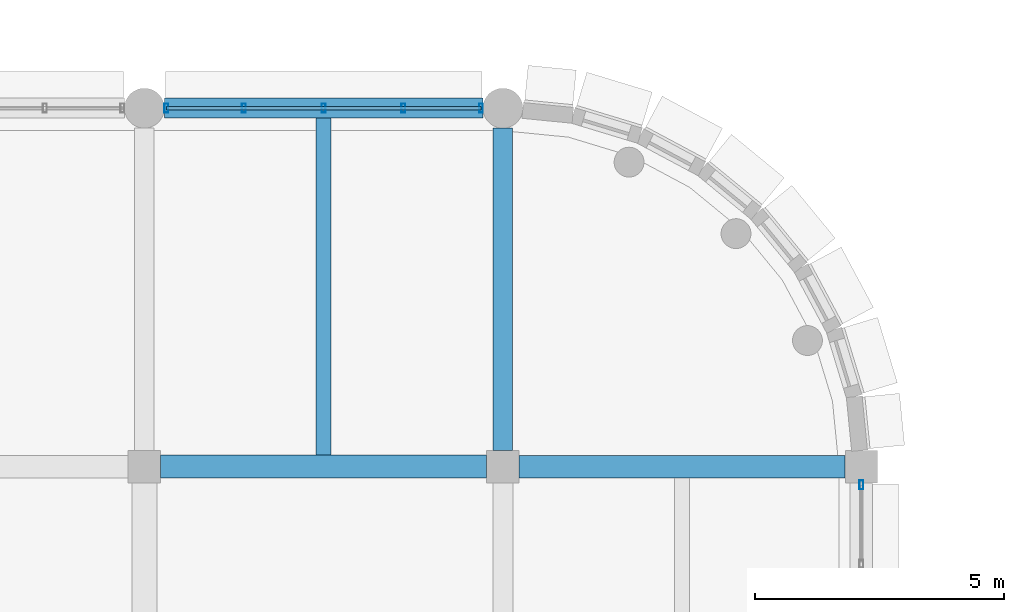
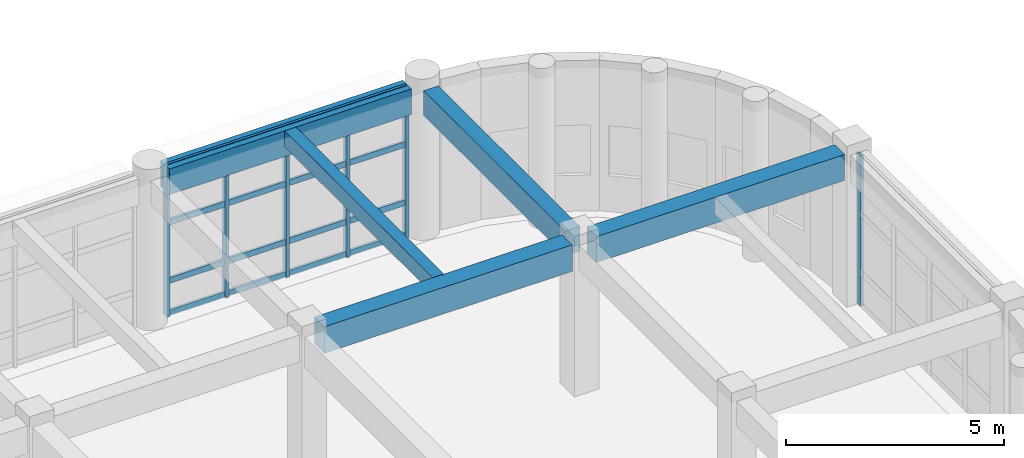
# One storey, part 73 of 171: 10 members, 5 beams, 2 elements without a shape of their own.
"""IFC4 building model written with IfcOpenShell, lengths in metres."""

from ifc_helpers import new_model, si_unit, direction, frame, origin, origin_2d, place, context, subcontext, project, spatial, rectangle, hollow_rectangle, extrude, material, material_profile, profile_set, type_object, element, aggregate, save


model = new_model("IFC4")

# Units and contexts
model_context = context("Model", 3, precision=1e-05, world=origin(), true_north=direction((0.0, 1.0)))
body_context = subcontext(model_context, "Body", "Model", "MODEL_VIEW")
ifc_project = project(units=[si_unit("LENGTHUNIT", "METRE"), si_unit("AREAUNIT", "SQUARE_METRE"), si_unit("VOLUMEUNIT", "CUBIC_METRE"), si_unit("PLANEANGLEUNIT", "RADIAN"), si_unit("MASSUNIT", "GRAM", prefix="KILO")], contexts=[model_context])

# Site, building, storey
site_placement = place(None, origin())
site = spatial("IfcSite", under=ifc_project, at=site_placement, CompositionType="ELEMENT")
building_placement = place(site_placement, origin())
building = spatial("IfcBuilding", under=site, at=building_placement, Name="Thalmaran Polytechnic", CompositionType="ELEMENT")
storey_placement = place(building_placement, frame((0.0, 0.0, 5.39990234375)))
storey = spatial("IfcBuildingStorey", under=building, at=storey_placement, Name="L01", CompositionType="ELEMENT", Elevation=5.39990234375)

# Beams
ifc_material_1 = material(Name="Concrete C40/50", Category="concrete")
ifc_material_profile_1 = material_profile(ifc_material_1, rectangle(XDim=0.449951171875, YDim=0.72509765625, at=origin_2d()), Name="RC 450x725")
ifc_profile_set_1 = profile_set([ifc_material_profile_1], Name="Concrete C40/50")
beam_type_1 = type_object("IfcBeamType", Name="BM-RC04", PredefinedType="BEAM", material=ifc_profile_set_1)
beam_1_placement = place(storey_placement, frame((86.72509765625, 64.800048828125, 3.8525390625), z_axis=(1.0, 0.0, 0.0), x_axis=(0.0, 1.0, 0.0)))
element("IfcBeam", 1, at=beam_1_placement, inside=storey, type_object=beam_type_1, Name="Grid Beam B04 L01 X(12,9)", PredefinedType="BEAM", context=body_context, shape_type="SweptSolid", body=[
    extrude(rectangle(XDim=0.449951171875, YDim=0.72509765625, at=origin_2d()), origin(), (0.0, 0.0, 1.0), 6.5498046875),
])
ifc_material_profile_2 = material_profile(ifc_material_1, rectangle(XDim=0.389892578125, YDim=0.68994140625, at=origin_2d()), Name="RC 390x690")
ifc_profile_set_2 = profile_set([ifc_material_profile_2], Name="Concrete C40/50")
beam_type_2 = type_object("IfcBeamType", Name="BM-RC09", PredefinedType="BEAM", material=ifc_profile_set_2)
beam_2_placement = place(storey_placement, frame((86.39990234375, 65.125, 3.8701171875), z_axis=(0.0, 1.0, 0.0), x_axis=(-1.0, 0.0, 0.0)))
element("IfcBeam", 2, at=beam_2_placement, inside=storey, type_object=beam_type_2, Name="Grid Beam B09 L01 Y(12,9)", PredefinedType="BEAM", context=body_context, shape_type="SweptSolid", body=[
    extrude(rectangle(XDim=0.389892578125, YDim=0.68994140625, at=origin_2d()), origin(), (0.0, 0.0, 1.0), 6.47509765625),
])
ifc_material_profile_3 = material_profile(ifc_material_1, rectangle(XDim=0.300048828125, YDim=0.449951171875, at=origin_2d()), Name="RC 300x450")
ifc_profile_set_3 = profile_set([ifc_material_profile_3], Name="Concrete C40/50")
beam_type_3 = type_object("IfcBeamType", Name="BM-RC12", PredefinedType="JOIST", material=ifc_profile_set_3)
beam_3_placement = place(storey_placement, frame((82.800048828125, 65.030029296875, 3.989990234375), z_axis=(0.0, 1.0, 0.0), x_axis=(-1.0, 0.0, 0.0)))
element("IfcBeam", 3, at=beam_3_placement, inside=storey, type_object=beam_type_3, Name="Secondary Floor Rib RB02 L01 (11,9)", PredefinedType="JOIST", context=body_context, shape_type="SweptSolid", body=[
    extrude(rectangle(XDim=0.300048828125, YDim=0.449951171875, at=origin_2d()), origin(), (0.0, 0.0, 1.0), 6.77001953125),
])
ifc_material_profile_4 = material_profile(ifc_material_1, rectangle(XDim=0.39990234375, YDim=0.719970703125, at=origin_2d()), Name="RC 400x720")
ifc_profile_set_4 = profile_set([ifc_material_profile_4], Name="Concrete C40/50")
beam_type_4 = type_object("IfcBeamType", Name="BM-SP01", PredefinedType="SPANDREL", material=ifc_profile_set_4)
beam_4_placement = place(storey_placement, frame((79.60009765625, 72.0, 3.85498046875), z_axis=(1.0, 0.0, 0.0), x_axis=(0.0, 1.0, 0.0)))
element("IfcBeam", 4, at=beam_4_placement, inside=storey, type_object=beam_type_4, Name="Grid Beam SP01 L01 X(11,10)", PredefinedType="SPANDREL", context=body_context, shape_type="SweptSolid", body=[
    extrude(rectangle(XDim=0.39990234375, YDim=0.719970703125, at=origin_2d()), origin(), (0.0, 0.0, 1.0), 6.39990234375),
])
ifc_material_profile_5 = material_profile(ifc_material_1, rectangle(XDim=0.4599609375, YDim=0.739990234375, at=origin_2d()), Name="RC 460x740")
ifc_profile_set_5 = profile_set([ifc_material_profile_5], Name="Concrete C40/50")
beam_type_5 = type_object("IfcBeamType", Name="BM-ZB02", PredefinedType="BEAM", material=ifc_profile_set_5)
beam_5_placement = place(storey_placement, frame((79.52490234375, 64.800048828125, 3.84521484375), z_axis=(1.0, 0.0, 0.0), x_axis=(0.0, 1.0, 0.0)))
element("IfcBeam", 5, at=beam_5_placement, inside=storey, type_object=beam_type_5, Name="Grid Beam ZB02 L01 X(11,9)", PredefinedType="BEAM", context=body_context, shape_type="SweptSolid", body=[
    extrude(rectangle(XDim=0.4599609375, YDim=0.739990234375, at=origin_2d()), origin(), (0.0, 0.0, 1.0), 6.550048828125),
])

# Curtain wall, members
ifc_material_2 = material(Name="Aluminium 6063-T6", Category="aluminium")
curtain_wall_type = type_object("IfcCurtainWallType", Name="CW-SC01", PredefinedType="USERDEFINED", material=ifc_material_2)
curtain_wall_1_placement = place(storey_placement, origin())
curtain_wall_1 = element("IfcCurtainWall", 6, at=curtain_wall_1_placement, inside=storey, type_object=curtain_wall_type, Name="Curtain Wall CW-L01-147", ObjectType="STICK CURTAIN WALL", PredefinedType="USERDEFINED")
ifc_material_profile_6 = material_profile(ifc_material_2, hollow_rectangle(XDim=0.080078125, YDim=0.179931640625, WallThickness=0.0048828125, at=origin_2d()), Name="RHS 180x80x5.0")
ifc_profile_set_6 = profile_set([ifc_material_profile_6], Name="Aluminium 6063-T6")
member_type_1 = type_object("IfcMemberType", Name="CW-MUL1", PredefinedType="MULLION", material=ifc_profile_set_6)
member_1_placement = place(storey_placement, frame((79.639892578125, 72.0, 0.0), z_axis=(0.0, 0.0, 1.0), x_axis=(1.0, 0.0, 0.0)))
member_1 = element("IfcMember", 7, at=member_1_placement, type_object=member_type_1, Name="CW-L01-147 Mullion 1", PredefinedType="MULLION", context=body_context, shape_type="SweptSolid", body=[
    extrude(hollow_rectangle(XDim=0.080078125, YDim=0.179931640625, WallThickness=0.0048828125, at=origin_2d()), origin(), (0.0, 0.0, 1.0), 4.210205078125),
])
member_2_placement = place(storey_placement, frame((81.199951171875, 72.0, 0.0), z_axis=(0.0, 0.0, 1.0), x_axis=(1.0, 0.0, 0.0)))
member_2 = element("IfcMember", 8, at=member_2_placement, type_object=member_type_1, Name="CW-L01-147 Mullion 2", PredefinedType="MULLION", context=body_context, shape_type="SweptSolid", body=[
    extrude(hollow_rectangle(XDim=0.080078125, YDim=0.179931640625, WallThickness=0.0048828125, at=origin_2d()), origin(), (0.0, 0.0, 1.0), 4.210205078125),
])
member_3_placement = place(storey_placement, frame((82.800048828125, 72.0, 0.0), z_axis=(0.0, 0.0, 1.0), x_axis=(1.0, 0.0, 0.0)))
member_3 = element("IfcMember", 9, at=member_3_placement, type_object=member_type_1, Name="CW-L01-147 Mullion 3", PredefinedType="MULLION", context=body_context, shape_type="SweptSolid", body=[
    extrude(hollow_rectangle(XDim=0.080078125, YDim=0.179931640625, WallThickness=0.0048828125, at=origin_2d()), origin(), (0.0, 0.0, 1.0), 4.210205078125),
])
member_4_placement = place(storey_placement, frame((84.39990234375, 72.0, 0.0), z_axis=(0.0, 0.0, 1.0), x_axis=(1.0, 0.0, 0.0)))
member_4 = element("IfcMember", 10, at=member_4_placement, type_object=member_type_1, Name="CW-L01-147 Mullion 4", PredefinedType="MULLION", context=body_context, shape_type="SweptSolid", body=[
    extrude(hollow_rectangle(XDim=0.080078125, YDim=0.179931640625, WallThickness=0.0048828125, at=origin_2d()), origin(), (0.0, 0.0, 1.0), 4.210205078125),
])
member_5_placement = place(storey_placement, frame((85.9599609375, 72.0, 0.0), z_axis=(0.0, 0.0, 1.0), x_axis=(1.0, 0.0, 0.0)))
member_5 = element("IfcMember", 11, at=member_5_placement, type_object=member_type_1, Name="CW-L01-147 Mullion 5", PredefinedType="MULLION", context=body_context, shape_type="SweptSolid", body=[
    extrude(hollow_rectangle(XDim=0.080078125, YDim=0.179931640625, WallThickness=0.0048828125, at=origin_2d()), origin(), (0.0, 0.0, 1.0), 4.210205078125),
])

# Curtain wall, member
curtain_wall_2_placement = place(storey_placement, origin())
curtain_wall_2 = element("IfcCurtainWall", 12, at=curtain_wall_2_placement, inside=storey, type_object=curtain_wall_type, Name="Curtain Wall CW-L01-148", ObjectType="STICK CURTAIN WALL", PredefinedType="USERDEFINED")
member_6_placement = place(storey_placement, frame((93.60009765625, 64.43505859375, 0.0), z_axis=(0.0, 0.0, 1.0), x_axis=(1.0, 0.0, 0.0)))
member_6 = element("IfcMember", 13, at=member_6_placement, type_object=member_type_1, Name="CW-L01-148 Mullion 1", PredefinedType="MULLION", context=body_context, shape_type="SweptSolid", body=[
    extrude(hollow_rectangle(XDim=0.080078125, YDim=0.179931640625, WallThickness=0.0048828125, at=origin_2d()), origin(), (0.0, 0.0, 1.0), 4.210205078125),
])
aggregate(curtain_wall_2, [member_6])

# Member
ifc_material_profile_7 = material_profile(ifc_material_2, hollow_rectangle(XDim=0.070068359375, YDim=0.159912109375, WallThickness=0.00390625, at=origin_2d()), Name="AL 160x70x4.0")
ifc_profile_set_7 = profile_set([ifc_material_profile_7], Name="Aluminium 6063-T6")
member_type_2 = type_object("IfcMemberType", Name="CW-TRN1", PredefinedType="USERDEFINED", material=ifc_profile_set_7)
member_7_placement = place(storey_placement, frame((79.639892578125, 72.0, 0.06005859375), z_axis=(1.0, 0.0, 0.0), x_axis=(0.0, 1.0, 0.0)))
member_7 = element("IfcMember", 14, at=member_7_placement, type_object=member_type_2, Name="CW-L01-147 Transom 1", ObjectType="TRANSOM", PredefinedType="USERDEFINED", context=body_context, shape_type="SweptSolid", body=[
    extrude(hollow_rectangle(XDim=0.070068359375, YDim=0.159912109375, WallThickness=0.00390625, at=origin_2d()), origin(), (0.0, 0.0, 1.0), 6.320068359375),
])

member_8_placement = place(storey_placement, frame((79.639892578125, 72.0, 0.960205078125), z_axis=(1.0, 0.0, 0.0), x_axis=(0.0, 1.0, 0.0)))
member_8 = element("IfcMember", 15, at=member_8_placement, type_object=member_type_2, Name="CW-L01-147 Transom 2", ObjectType="TRANSOM", PredefinedType="USERDEFINED", context=body_context, shape_type="SweptSolid", body=[
    extrude(hollow_rectangle(XDim=0.070068359375, YDim=0.159912109375, WallThickness=0.00390625, at=origin_2d()), origin(), (0.0, 0.0, 1.0), 6.320068359375),
])

member_9_placement = place(storey_placement, frame((79.639892578125, 72.0, 2.585205078125), z_axis=(1.0, 0.0, 0.0), x_axis=(0.0, 1.0, 0.0)))
member_9 = element("IfcMember", 16, at=member_9_placement, type_object=member_type_2, Name="CW-L01-147 Transom 3", ObjectType="TRANSOM", PredefinedType="USERDEFINED", context=body_context, shape_type="SweptSolid", body=[
    extrude(hollow_rectangle(XDim=0.070068359375, YDim=0.159912109375, WallThickness=0.00390625, at=origin_2d()), origin(), (0.0, 0.0, 1.0), 6.320068359375),
])

member_10_placement = place(storey_placement, frame((79.639892578125, 72.0, 4.150146484375), z_axis=(1.0, 0.0, 0.0), x_axis=(0.0, 1.0, 0.0)))
member_10 = element("IfcMember", 17, at=member_10_placement, type_object=member_type_2, Name="CW-L01-147 Transom 4", ObjectType="TRANSOM", PredefinedType="USERDEFINED", context=body_context, shape_type="SweptSolid", body=[
    extrude(hollow_rectangle(XDim=0.070068359375, YDim=0.159912109375, WallThickness=0.00390625, at=origin_2d()), origin(), (0.0, 0.0, 1.0), 6.320068359375),
])

aggregate(curtain_wall_1, [member_1, member_2, member_3, member_4, member_5, member_7, member_8, member_9, member_10])

save(model, "model.ifc")
